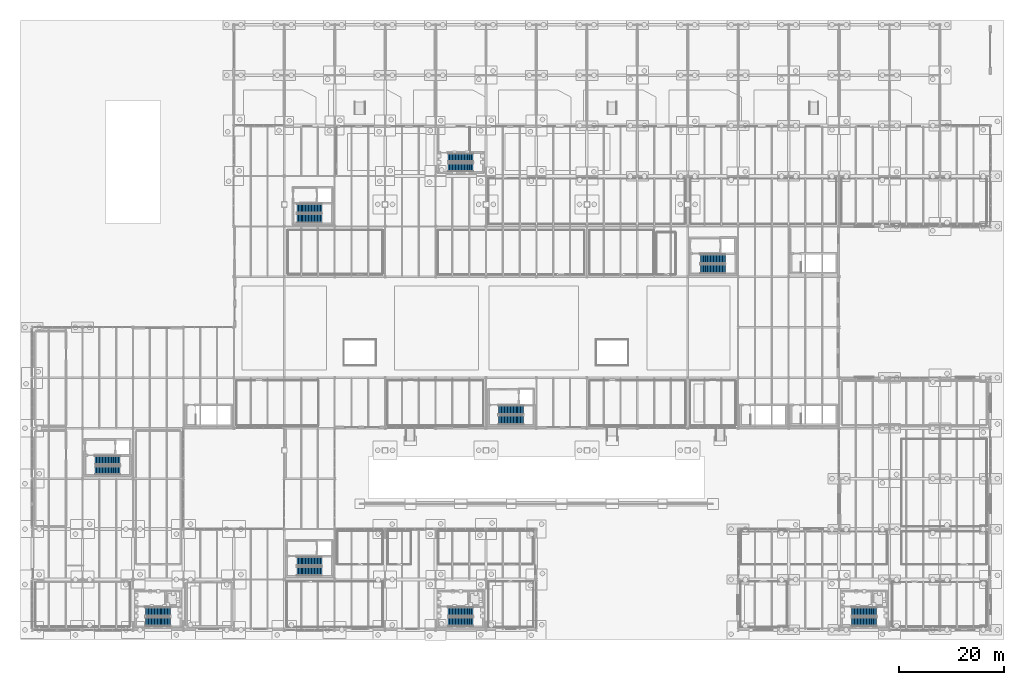
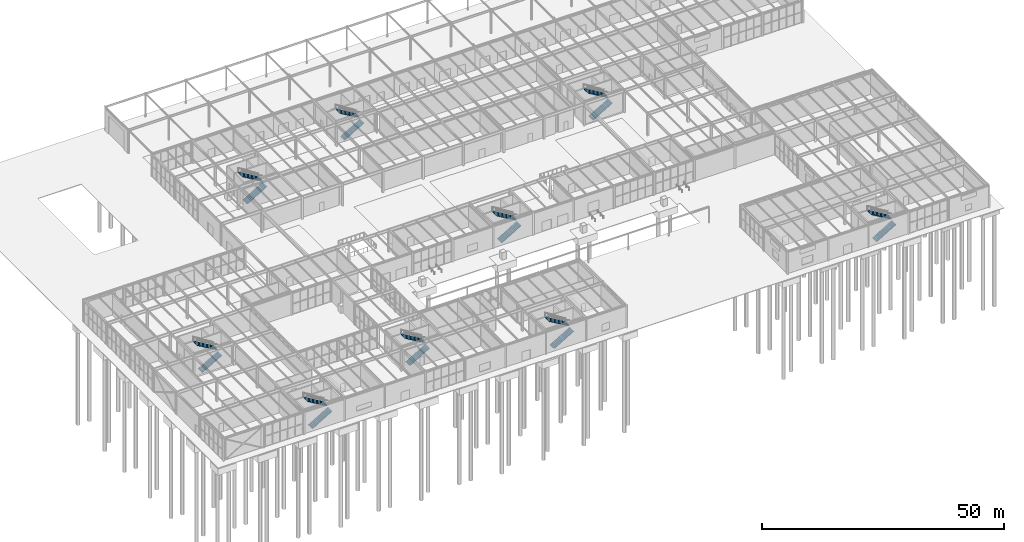
# One storey, part 126 of 142: 18 stair flights, 9 elements without a shape of their own.
"""IFC4 building model written with IfcOpenShell, lengths in metres."""

from ifc_helpers import new_model, si_unit, direction, frame, origin, place, context, subcontext, project, spatial, polyline, outline, extrude, material, type_object, element, aggregate, save


model = new_model("IFC4")

# Units and contexts
model_context = context("Model", 3, precision=1e-05, world=origin(), true_north=direction((0.0, 1.0)))
body_context = subcontext(model_context, "Body", "Model", "MODEL_VIEW")
ifc_project = project(units=[si_unit("LENGTHUNIT", "METRE"), si_unit("AREAUNIT", "SQUARE_METRE"), si_unit("VOLUMEUNIT", "CUBIC_METRE"), si_unit("PLANEANGLEUNIT", "RADIAN"), si_unit("MASSUNIT", "GRAM", prefix="KILO")], contexts=[model_context])

# Site, building, storey
site_placement = place(None, origin())
site = spatial("IfcSite", under=ifc_project, at=site_placement, CompositionType="ELEMENT")
building_placement = place(site_placement, origin())
building = spatial("IfcBuilding", under=site, at=building_placement, Name="Coralgate Yard Interchange", CompositionType="ELEMENT")
storey_placement = place(building_placement, origin())
storey = spatial("IfcBuildingStorey", under=building, at=storey_placement, Name="L00", CompositionType="ELEMENT", Elevation=0.0)

# Stair, stair flights
ifc_material = material(Name="Concrete C40/50", Category="concrete")
stair_type_1 = type_object("IfcStairType", Name="STR-DL-158-60", PredefinedType="HALF_TURN_STAIR", material=ifc_material)
stair_1_placement = place(storey_placement, origin())
stair_1 = element("IfcStair", 1, at=stair_1_placement, inside=storey, type_object=stair_type_1, Name="L00 Escape stair ST-09", PredefinedType="HALF_TURN_STAIR")
stair_flight_type_1 = type_object("IfcStairFlightType", Name="STF-DL-158-60", PredefinedType="STRAIGHT", material=ifc_material)
stair_flight_1_placement = place(storey_placement, frame((79.199951171875, 88.050048828125, 0.0), z_axis=(0.0, 0.0, 1.0), x_axis=(1.0, 0.0, 0.0)))
stair_flight_1 = element("IfcStairFlight", 2, at=stair_flight_1_placement, type_object=stair_flight_type_1, Name="ST-09 flight 1", NumberOfRisers=18, NumberOfTreads=17, PredefinedType="STRAIGHT", RiserHeight=0.166666667, TreadLength=0.28, context=body_context, shape_type="SweptSolid", body=[
    extrude(outline(polyline([(0.0, 0.0), (0.0, 0.166748046875), (0.280029296875, 0.166748046875), (0.280029296875, 0.333251953125), (0.56005859375, 0.333251953125), (0.56005859375, 0.5), (0.840087890625, 0.5), (0.840087890625, 0.666748046875), (1.1201171875, 0.666748046875), (1.1201171875, 0.833251953125), (1.39990234375, 0.833251953125), (1.39990234375, 1.0), (1.679931640625, 1.0), (1.679931640625, 1.166748046875), (1.9599609375, 1.166748046875), (1.9599609375, 1.333251953125), (2.239990234375, 1.333251953125), (2.239990234375, 1.5), (2.52001953125, 1.5), (2.52001953125, 1.666748046875), (2.800048828125, 1.666748046875), (2.800048828125, 1.833251953125), (3.080078125, 1.833251953125), (3.080078125, 2.0), (3.360107421875, 2.0), (3.360107421875, 2.166748046875), (3.639892578125, 2.166748046875), (3.639892578125, 2.333251953125), (3.919921875, 2.333251953125), (3.919921875, 2.5), (4.199951171875, 2.5), (4.199951171875, 2.666748046875), (4.47998046875, 2.666748046875), (4.47998046875, 2.833251953125), (4.760009765625, 2.833251953125), (4.760009765625, 3.0), (4.760009765625, 2.647216796875), (0.312744140625, 0.0), (0.0, 0.0)])), frame((0.0, 0.7900390625, 0.0), z_axis=(0.0, -1.0, 0.0), x_axis=(1.0, 0.0, 0.0)), (0.0, 0.0, 1.0), 1.580078125),
])
stair_flight_2_placement = place(storey_placement, frame((83.9599609375, 89.919921875, 3.0), z_axis=(0.0, 0.0, 1.0), x_axis=(-1.0, 0.0, 0.0)))
stair_flight_2 = element("IfcStairFlight", 3, at=stair_flight_2_placement, type_object=stair_flight_type_1, Name="ST-09 flight 2", NumberOfRisers=18, NumberOfTreads=17, PredefinedType="STRAIGHT", RiserHeight=0.166666667, TreadLength=0.28, context=body_context, shape_type="SweptSolid", body=[
    extrude(outline(polyline([(0.0, 0.0), (0.0, 0.166748046875), (0.280029296875, 0.166748046875), (0.280029296875, 0.333251953125), (0.56005859375, 0.333251953125), (0.56005859375, 0.5), (0.840087890625, 0.5), (0.840087890625, 0.666748046875), (1.1201171875, 0.666748046875), (1.1201171875, 0.833251953125), (1.39990234375, 0.833251953125), (1.39990234375, 1.0), (1.679931640625, 1.0), (1.679931640625, 1.166748046875), (1.9599609375, 1.166748046875), (1.9599609375, 1.333251953125), (2.239990234375, 1.333251953125), (2.239990234375, 1.5), (2.52001953125, 1.5), (2.52001953125, 1.666748046875), (2.800048828125, 1.666748046875), (2.800048828125, 1.833251953125), (3.080078125, 1.833251953125), (3.080078125, 2.0), (3.360107421875, 2.0), (3.360107421875, 2.166748046875), (3.639892578125, 2.166748046875), (3.639892578125, 2.333251953125), (3.919921875, 2.333251953125), (3.919921875, 2.5), (4.199951171875, 2.5), (4.199951171875, 2.666748046875), (4.47998046875, 2.666748046875), (4.47998046875, 2.833251953125), (4.760009765625, 2.833251953125), (4.760009765625, 3.0), (4.760009765625, 2.647216796875), (0.312744140625, 0.0), (0.0, 0.0)])), frame((0.0, 0.7900390625, 0.0), z_axis=(0.0, -1.0, 0.0), x_axis=(1.0, 0.0, 0.0)), (0.0, 0.0, 1.0), 1.580078125),
])
aggregate(stair_1, [stair_flight_1, stair_flight_2])

stair_type_2 = type_object("IfcStairType", Name="STR-DL-165-60", PredefinedType="HALF_TURN_STAIR", material=ifc_material)
stair_2_placement = place(storey_placement, origin())
stair_2 = element("IfcStair", 4, at=stair_2_placement, inside=storey, type_object=stair_type_2, Name="L00 Escape stair ST-01", PredefinedType="HALF_TURN_STAIR")
stair_flight_type_2 = type_object("IfcStairFlightType", Name="STF-DL-165-60", PredefinedType="STRAIGHT", material=ifc_material)
stair_flight_3_placement = place(storey_placement, frame((12.0, 30.344970703125, 0.0), z_axis=(0.0, 0.0, 1.0), x_axis=(1.0, 0.0, 0.0)))
stair_flight_3 = element("IfcStairFlight", 5, at=stair_flight_3_placement, type_object=stair_flight_type_2, Name="ST-01 flight 1", NumberOfRisers=18, NumberOfTreads=17, PredefinedType="STRAIGHT", RiserHeight=0.166666667, TreadLength=0.28, context=body_context, shape_type="SweptSolid", body=[
    extrude(outline(polyline([(0.0, 0.0), (0.0, 0.166748046875), (0.280029296875, 0.166748046875), (0.280029296875, 0.333251953125), (0.56005859375, 0.333251953125), (0.56005859375, 0.5), (0.840087890625, 0.5), (0.840087890625, 0.666748046875), (1.1201171875, 0.666748046875), (1.1201171875, 0.833251953125), (1.39990234375, 0.833251953125), (1.39990234375, 1.0), (1.679931640625, 1.0), (1.679931640625, 1.166748046875), (1.9599609375, 1.166748046875), (1.9599609375, 1.333251953125), (2.239990234375, 1.333251953125), (2.239990234375, 1.5), (2.52001953125, 1.5), (2.52001953125, 1.666748046875), (2.800048828125, 1.666748046875), (2.800048828125, 1.833251953125), (3.080078125, 1.833251953125), (3.080078125, 2.0), (3.360107421875, 2.0), (3.360107421875, 2.166748046875), (3.639892578125, 2.166748046875), (3.639892578125, 2.333251953125), (3.919921875, 2.333251953125), (3.919921875, 2.5), (4.199951171875, 2.5), (4.199951171875, 2.666748046875), (4.47998046875, 2.666748046875), (4.47998046875, 2.833251953125), (4.760009765625, 2.833251953125), (4.760009765625, 3.0), (4.760009765625, 2.647216796875), (0.312744140625, 0.0), (0.0, 0.0)])), frame((0.0, 0.824951171875, 0.0), z_axis=(0.0, -1.0, 0.0), x_axis=(1.0, 0.0, 0.0)), (0.0, 0.0, 1.0), 1.64990234375),
])
stair_flight_4_placement = place(storey_placement, frame((16.760009765625, 32.284912109375, 3.0), z_axis=(0.0, 0.0, 1.0), x_axis=(-1.0, 0.0, 0.0)))
stair_flight_4 = element("IfcStairFlight", 6, at=stair_flight_4_placement, type_object=stair_flight_type_2, Name="ST-01 flight 2", NumberOfRisers=18, NumberOfTreads=17, PredefinedType="STRAIGHT", RiserHeight=0.166666667, TreadLength=0.28, context=body_context, shape_type="SweptSolid", body=[
    extrude(outline(polyline([(0.0, 0.0), (0.0, 0.166748046875), (0.280029296875, 0.166748046875), (0.280029296875, 0.333251953125), (0.56005859375, 0.333251953125), (0.56005859375, 0.5), (0.840087890625, 0.5), (0.840087890625, 0.666748046875), (1.1201171875, 0.666748046875), (1.1201171875, 0.833251953125), (1.39990234375, 0.833251953125), (1.39990234375, 1.0), (1.679931640625, 1.0), (1.679931640625, 1.166748046875), (1.9599609375, 1.166748046875), (1.9599609375, 1.333251953125), (2.239990234375, 1.333251953125), (2.239990234375, 1.5), (2.52001953125, 1.5), (2.52001953125, 1.666748046875), (2.800048828125, 1.666748046875), (2.800048828125, 1.833251953125), (3.080078125, 1.833251953125), (3.080078125, 2.0), (3.360107421875, 2.0), (3.360107421875, 2.166748046875), (3.639892578125, 2.166748046875), (3.639892578125, 2.333251953125), (3.919921875, 2.333251953125), (3.919921875, 2.5), (4.199951171875, 2.5), (4.199951171875, 2.666748046875), (4.47998046875, 2.666748046875), (4.47998046875, 2.833251953125), (4.760009765625, 2.833251953125), (4.760009765625, 3.0), (4.760009765625, 2.647216796875), (0.312744140625, 0.0), (0.0, 0.0)])), frame((0.0, 0.824951171875, 0.0), z_axis=(0.0, -1.0, 0.0), x_axis=(1.0, 0.0, 0.0)), (0.0, 0.0, 1.0), 1.64990234375),
])
aggregate(stair_2, [stair_flight_3, stair_flight_4])

stair_3_placement = place(storey_placement, origin())
stair_3 = element("IfcStair", 7, at=stair_3_placement, inside=storey, type_object=stair_type_2, Name="L00 Escape stair ST-02", PredefinedType="HALF_TURN_STAIR")
stair_flight_5_placement = place(storey_placement, frame((50.39990234375, 11.14501953125, 0.0), z_axis=(0.0, 0.0, 1.0), x_axis=(1.0, 0.0, 0.0)))
stair_flight_5 = element("IfcStairFlight", 8, at=stair_flight_5_placement, type_object=stair_flight_type_2, Name="ST-02 flight 1", NumberOfRisers=18, NumberOfTreads=17, PredefinedType="STRAIGHT", RiserHeight=0.166666667, TreadLength=0.28, context=body_context, shape_type="SweptSolid", body=[
    extrude(outline(polyline([(0.0, 0.0), (0.0, 0.166748046875), (0.280029296875, 0.166748046875), (0.280029296875, 0.333251953125), (0.56005859375, 0.333251953125), (0.56005859375, 0.5), (0.840087890625, 0.5), (0.840087890625, 0.666748046875), (1.1201171875, 0.666748046875), (1.1201171875, 0.833251953125), (1.39990234375, 0.833251953125), (1.39990234375, 1.0), (1.679931640625, 1.0), (1.679931640625, 1.166748046875), (1.9599609375, 1.166748046875), (1.9599609375, 1.333251953125), (2.239990234375, 1.333251953125), (2.239990234375, 1.5), (2.52001953125, 1.5), (2.52001953125, 1.666748046875), (2.800048828125, 1.666748046875), (2.800048828125, 1.833251953125), (3.080078125, 1.833251953125), (3.080078125, 2.0), (3.360107421875, 2.0), (3.360107421875, 2.166748046875), (3.639892578125, 2.166748046875), (3.639892578125, 2.333251953125), (3.919921875, 2.333251953125), (3.919921875, 2.5), (4.199951171875, 2.5), (4.199951171875, 2.666748046875), (4.47998046875, 2.666748046875), (4.47998046875, 2.833251953125), (4.760009765625, 2.833251953125), (4.760009765625, 3.0), (4.760009765625, 2.647216796875), (0.312744140625, 0.0), (0.0, 0.0)])), frame((0.0, 0.824951171875, 0.0), z_axis=(0.0, -1.0, 0.0), x_axis=(1.0, 0.0, 0.0)), (0.0, 0.0, 1.0), 1.64990234375),
])
stair_flight_6_placement = place(storey_placement, frame((55.159912109375, 13.0849609375, 3.0), z_axis=(0.0, 0.0, 1.0), x_axis=(-1.0, 0.0, 0.0)))
stair_flight_6 = element("IfcStairFlight", 9, at=stair_flight_6_placement, type_object=stair_flight_type_2, Name="ST-02 flight 2", NumberOfRisers=18, NumberOfTreads=17, PredefinedType="STRAIGHT", RiserHeight=0.166666667, TreadLength=0.28, context=body_context, shape_type="SweptSolid", body=[
    extrude(outline(polyline([(0.0, 0.0), (0.0, 0.166748046875), (0.280029296875, 0.166748046875), (0.280029296875, 0.333251953125), (0.56005859375, 0.333251953125), (0.56005859375, 0.5), (0.840087890625, 0.5), (0.840087890625, 0.666748046875), (1.1201171875, 0.666748046875), (1.1201171875, 0.833251953125), (1.39990234375, 0.833251953125), (1.39990234375, 1.0), (1.679931640625, 1.0), (1.679931640625, 1.166748046875), (1.9599609375, 1.166748046875), (1.9599609375, 1.333251953125), (2.239990234375, 1.333251953125), (2.239990234375, 1.5), (2.52001953125, 1.5), (2.52001953125, 1.666748046875), (2.800048828125, 1.666748046875), (2.800048828125, 1.833251953125), (3.080078125, 1.833251953125), (3.080078125, 2.0), (3.360107421875, 2.0), (3.360107421875, 2.166748046875), (3.639892578125, 2.166748046875), (3.639892578125, 2.333251953125), (3.919921875, 2.333251953125), (3.919921875, 2.5), (4.199951171875, 2.5), (4.199951171875, 2.666748046875), (4.47998046875, 2.666748046875), (4.47998046875, 2.833251953125), (4.760009765625, 2.833251953125), (4.760009765625, 3.0), (4.760009765625, 2.647216796875), (0.312744140625, 0.0), (0.0, 0.0)])), frame((0.0, 0.824951171875, 0.0), z_axis=(0.0, -1.0, 0.0), x_axis=(1.0, 0.0, 0.0)), (0.0, 0.0, 1.0), 1.64990234375),
])
aggregate(stair_3, [stair_flight_5, stair_flight_6])

stair_4_placement = place(storey_placement, origin())
stair_4 = element("IfcStair", 10, at=stair_4_placement, inside=storey, type_object=stair_type_2, Name="L00 Escape stair ST-03", PredefinedType="HALF_TURN_STAIR")
stair_flight_7_placement = place(storey_placement, frame((21.60009765625, 1.544921875, 0.0), z_axis=(0.0, 0.0, 1.0), x_axis=(1.0, 0.0, 0.0)))
stair_flight_7 = element("IfcStairFlight", 11, at=stair_flight_7_placement, type_object=stair_flight_type_2, Name="ST-03 flight 1", NumberOfRisers=18, NumberOfTreads=17, PredefinedType="STRAIGHT", RiserHeight=0.166666667, TreadLength=0.28, context=body_context, shape_type="SweptSolid", body=[
    extrude(outline(polyline([(0.0, 0.0), (0.0, 0.166748046875), (0.280029296875, 0.166748046875), (0.280029296875, 0.333251953125), (0.56005859375, 0.333251953125), (0.56005859375, 0.5), (0.840087890625, 0.5), (0.840087890625, 0.666748046875), (1.1201171875, 0.666748046875), (1.1201171875, 0.833251953125), (1.39990234375, 0.833251953125), (1.39990234375, 1.0), (1.679931640625, 1.0), (1.679931640625, 1.166748046875), (1.9599609375, 1.166748046875), (1.9599609375, 1.333251953125), (2.239990234375, 1.333251953125), (2.239990234375, 1.5), (2.52001953125, 1.5), (2.52001953125, 1.666748046875), (2.800048828125, 1.666748046875), (2.800048828125, 1.833251953125), (3.080078125, 1.833251953125), (3.080078125, 2.0), (3.360107421875, 2.0), (3.360107421875, 2.166748046875), (3.639892578125, 2.166748046875), (3.639892578125, 2.333251953125), (3.919921875, 2.333251953125), (3.919921875, 2.5), (4.199951171875, 2.5), (4.199951171875, 2.666748046875), (4.47998046875, 2.666748046875), (4.47998046875, 2.833251953125), (4.760009765625, 2.833251953125), (4.760009765625, 3.0), (4.760009765625, 2.647216796875), (0.312744140625, 0.0), (0.0, 0.0)])), frame((0.0, 0.824951171875, 0.0), z_axis=(0.0, -1.0, 0.0), x_axis=(1.0, 0.0, 0.0)), (0.0, 0.0, 1.0), 1.64990234375),
])
stair_flight_8_placement = place(storey_placement, frame((26.360107421875, 3.485107421875, 3.0), z_axis=(0.0, 0.0, 1.0), x_axis=(-1.0, 0.0, 0.0)))
stair_flight_8 = element("IfcStairFlight", 12, at=stair_flight_8_placement, type_object=stair_flight_type_2, Name="ST-03 flight 2", NumberOfRisers=18, NumberOfTreads=17, PredefinedType="STRAIGHT", RiserHeight=0.166666667, TreadLength=0.28, context=body_context, shape_type="SweptSolid", body=[
    extrude(outline(polyline([(0.0, 0.0), (0.0, 0.166748046875), (0.280029296875, 0.166748046875), (0.280029296875, 0.333251953125), (0.56005859375, 0.333251953125), (0.56005859375, 0.5), (0.840087890625, 0.5), (0.840087890625, 0.666748046875), (1.1201171875, 0.666748046875), (1.1201171875, 0.833251953125), (1.39990234375, 0.833251953125), (1.39990234375, 1.0), (1.679931640625, 1.0), (1.679931640625, 1.166748046875), (1.9599609375, 1.166748046875), (1.9599609375, 1.333251953125), (2.239990234375, 1.333251953125), (2.239990234375, 1.5), (2.52001953125, 1.5), (2.52001953125, 1.666748046875), (2.800048828125, 1.666748046875), (2.800048828125, 1.833251953125), (3.080078125, 1.833251953125), (3.080078125, 2.0), (3.360107421875, 2.0), (3.360107421875, 2.166748046875), (3.639892578125, 2.166748046875), (3.639892578125, 2.333251953125), (3.919921875, 2.333251953125), (3.919921875, 2.5), (4.199951171875, 2.5), (4.199951171875, 2.666748046875), (4.47998046875, 2.666748046875), (4.47998046875, 2.833251953125), (4.760009765625, 2.833251953125), (4.760009765625, 3.0), (4.760009765625, 2.647216796875), (0.312744140625, 0.0), (0.0, 0.0)])), frame((0.0, 0.824951171875, 0.0), z_axis=(0.0, -1.0, 0.0), x_axis=(1.0, 0.0, 0.0)), (0.0, 0.0, 1.0), 1.64990234375),
])
aggregate(stair_4, [stair_flight_7, stair_flight_8])

stair_5_placement = place(storey_placement, origin())
stair_5 = element("IfcStair", 13, at=stair_5_placement, inside=storey, type_object=stair_type_2, Name="L00 Escape stair ST-04", PredefinedType="HALF_TURN_STAIR")
stair_flight_9_placement = place(storey_placement, frame((79.199951171875, 1.544921875, 0.0), z_axis=(0.0, 0.0, 1.0), x_axis=(1.0, 0.0, 0.0)))
stair_flight_9 = element("IfcStairFlight", 14, at=stair_flight_9_placement, type_object=stair_flight_type_2, Name="ST-04 flight 1", NumberOfRisers=18, NumberOfTreads=17, PredefinedType="STRAIGHT", RiserHeight=0.166666667, TreadLength=0.28, context=body_context, shape_type="SweptSolid", body=[
    extrude(outline(polyline([(0.0, 0.0), (0.0, 0.166748046875), (0.280029296875, 0.166748046875), (0.280029296875, 0.333251953125), (0.56005859375, 0.333251953125), (0.56005859375, 0.5), (0.840087890625, 0.5), (0.840087890625, 0.666748046875), (1.1201171875, 0.666748046875), (1.1201171875, 0.833251953125), (1.39990234375, 0.833251953125), (1.39990234375, 1.0), (1.679931640625, 1.0), (1.679931640625, 1.166748046875), (1.9599609375, 1.166748046875), (1.9599609375, 1.333251953125), (2.239990234375, 1.333251953125), (2.239990234375, 1.5), (2.52001953125, 1.5), (2.52001953125, 1.666748046875), (2.800048828125, 1.666748046875), (2.800048828125, 1.833251953125), (3.080078125, 1.833251953125), (3.080078125, 2.0), (3.360107421875, 2.0), (3.360107421875, 2.166748046875), (3.639892578125, 2.166748046875), (3.639892578125, 2.333251953125), (3.919921875, 2.333251953125), (3.919921875, 2.5), (4.199951171875, 2.5), (4.199951171875, 2.666748046875), (4.47998046875, 2.666748046875), (4.47998046875, 2.833251953125), (4.760009765625, 2.833251953125), (4.760009765625, 3.0), (4.760009765625, 2.647216796875), (0.312744140625, 0.0), (0.0, 0.0)])), frame((0.0, 0.824951171875, 0.0), z_axis=(0.0, -1.0, 0.0), x_axis=(1.0, 0.0, 0.0)), (0.0, 0.0, 1.0), 1.64990234375),
])
stair_flight_10_placement = place(storey_placement, frame((83.9599609375, 3.485107421875, 3.0), z_axis=(0.0, 0.0, 1.0), x_axis=(-1.0, 0.0, 0.0)))
stair_flight_10 = element("IfcStairFlight", 15, at=stair_flight_10_placement, type_object=stair_flight_type_2, Name="ST-04 flight 2", NumberOfRisers=18, NumberOfTreads=17, PredefinedType="STRAIGHT", RiserHeight=0.166666667, TreadLength=0.28, context=body_context, shape_type="SweptSolid", body=[
    extrude(outline(polyline([(0.0, 0.0), (0.0, 0.166748046875), (0.280029296875, 0.166748046875), (0.280029296875, 0.333251953125), (0.56005859375, 0.333251953125), (0.56005859375, 0.5), (0.840087890625, 0.5), (0.840087890625, 0.666748046875), (1.1201171875, 0.666748046875), (1.1201171875, 0.833251953125), (1.39990234375, 0.833251953125), (1.39990234375, 1.0), (1.679931640625, 1.0), (1.679931640625, 1.166748046875), (1.9599609375, 1.166748046875), (1.9599609375, 1.333251953125), (2.239990234375, 1.333251953125), (2.239990234375, 1.5), (2.52001953125, 1.5), (2.52001953125, 1.666748046875), (2.800048828125, 1.666748046875), (2.800048828125, 1.833251953125), (3.080078125, 1.833251953125), (3.080078125, 2.0), (3.360107421875, 2.0), (3.360107421875, 2.166748046875), (3.639892578125, 2.166748046875), (3.639892578125, 2.333251953125), (3.919921875, 2.333251953125), (3.919921875, 2.5), (4.199951171875, 2.5), (4.199951171875, 2.666748046875), (4.47998046875, 2.666748046875), (4.47998046875, 2.833251953125), (4.760009765625, 2.833251953125), (4.760009765625, 3.0), (4.760009765625, 2.647216796875), (0.312744140625, 0.0), (0.0, 0.0)])), frame((0.0, 0.824951171875, 0.0), z_axis=(0.0, -1.0, 0.0), x_axis=(1.0, 0.0, 0.0)), (0.0, 0.0, 1.0), 1.64990234375),
])
aggregate(stair_5, [stair_flight_9, stair_flight_10])

stair_6_placement = place(storey_placement, origin())
stair_6 = element("IfcStair", 16, at=stair_6_placement, inside=storey, type_object=stair_type_2, Name="L00 Escape stair ST-08", PredefinedType="HALF_TURN_STAIR")
stair_flight_11_placement = place(storey_placement, frame((156.0, 1.544921875, 0.0), z_axis=(0.0, 0.0, 1.0), x_axis=(1.0, 0.0, 0.0)))
stair_flight_11 = element("IfcStairFlight", 17, at=stair_flight_11_placement, type_object=stair_flight_type_2, Name="ST-08 flight 1", NumberOfRisers=18, NumberOfTreads=17, PredefinedType="STRAIGHT", RiserHeight=0.166666667, TreadLength=0.28, context=body_context, shape_type="SweptSolid", body=[
    extrude(outline(polyline([(0.0, 0.0), (0.0, 0.166748046875), (0.280029296875, 0.166748046875), (0.280029296875, 0.333251953125), (0.56005859375, 0.333251953125), (0.56005859375, 0.5), (0.840087890625, 0.5), (0.840087890625, 0.666748046875), (1.1201171875, 0.666748046875), (1.1201171875, 0.833251953125), (1.39990234375, 0.833251953125), (1.39990234375, 1.0), (1.679931640625, 1.0), (1.679931640625, 1.166748046875), (1.9599609375, 1.166748046875), (1.9599609375, 1.333251953125), (2.239990234375, 1.333251953125), (2.239990234375, 1.5), (2.52001953125, 1.5), (2.52001953125, 1.666748046875), (2.800048828125, 1.666748046875), (2.800048828125, 1.833251953125), (3.080078125, 1.833251953125), (3.080078125, 2.0), (3.360107421875, 2.0), (3.360107421875, 2.166748046875), (3.639892578125, 2.166748046875), (3.639892578125, 2.333251953125), (3.919921875, 2.333251953125), (3.919921875, 2.5), (4.199951171875, 2.5), (4.199951171875, 2.666748046875), (4.47998046875, 2.666748046875), (4.47998046875, 2.833251953125), (4.760009765625, 2.833251953125), (4.760009765625, 3.0), (4.760009765625, 2.647216796875), (0.312744140625, 0.0), (0.0, 0.0)])), frame((0.0, 0.824951171875, 0.0), z_axis=(0.0, -1.0, 0.0), x_axis=(1.0, 0.0, 0.0)), (0.0, 0.0, 1.0), 1.64990234375),
])
stair_flight_12_placement = place(storey_placement, frame((160.760009765625, 3.485107421875, 3.0), z_axis=(0.0, 0.0, 1.0), x_axis=(-1.0, 0.0, 0.0)))
stair_flight_12 = element("IfcStairFlight", 18, at=stair_flight_12_placement, type_object=stair_flight_type_2, Name="ST-08 flight 2", NumberOfRisers=18, NumberOfTreads=17, PredefinedType="STRAIGHT", RiserHeight=0.166666667, TreadLength=0.28, context=body_context, shape_type="SweptSolid", body=[
    extrude(outline(polyline([(0.0, 0.0), (0.0, 0.166748046875), (0.280029296875, 0.166748046875), (0.280029296875, 0.333251953125), (0.56005859375, 0.333251953125), (0.56005859375, 0.5), (0.840087890625, 0.5), (0.840087890625, 0.666748046875), (1.1201171875, 0.666748046875), (1.1201171875, 0.833251953125), (1.39990234375, 0.833251953125), (1.39990234375, 1.0), (1.679931640625, 1.0), (1.679931640625, 1.166748046875), (1.9599609375, 1.166748046875), (1.9599609375, 1.333251953125), (2.239990234375, 1.333251953125), (2.239990234375, 1.5), (2.52001953125, 1.5), (2.52001953125, 1.666748046875), (2.800048828125, 1.666748046875), (2.800048828125, 1.833251953125), (3.080078125, 1.833251953125), (3.080078125, 2.0), (3.360107421875, 2.0), (3.360107421875, 2.166748046875), (3.639892578125, 2.166748046875), (3.639892578125, 2.333251953125), (3.919921875, 2.333251953125), (3.919921875, 2.5), (4.199951171875, 2.5), (4.199951171875, 2.666748046875), (4.47998046875, 2.666748046875), (4.47998046875, 2.833251953125), (4.760009765625, 2.833251953125), (4.760009765625, 3.0), (4.760009765625, 2.647216796875), (0.312744140625, 0.0), (0.0, 0.0)])), frame((0.0, 0.824951171875, 0.0), z_axis=(0.0, -1.0, 0.0), x_axis=(1.0, 0.0, 0.0)), (0.0, 0.0, 1.0), 1.64990234375),
])
aggregate(stair_6, [stair_flight_11, stair_flight_12])

stair_type_3 = type_object("IfcStairType", Name="STR-DL-175-60", PredefinedType="HALF_TURN_STAIR", material=ifc_material)
stair_7_placement = place(storey_placement, origin())
stair_7 = element("IfcStair", 19, at=stair_7_placement, inside=storey, type_object=stair_type_3, Name="L00 Escape stair ST-05", PredefinedType="HALF_TURN_STAIR")
stair_flight_type_3 = type_object("IfcStairFlightType", Name="STF-DL-175-60", PredefinedType="STRAIGHT", material=ifc_material)
stair_flight_13_placement = place(storey_placement, frame((50.39990234375, 78.324951171875, 0.0), z_axis=(0.0, 0.0, 1.0), x_axis=(1.0, 0.0, 0.0)))
stair_flight_13 = element("IfcStairFlight", 20, at=stair_flight_13_placement, type_object=stair_flight_type_3, Name="ST-05 flight 1", NumberOfRisers=18, NumberOfTreads=17, PredefinedType="STRAIGHT", RiserHeight=0.166666667, TreadLength=0.28, context=body_context, shape_type="SweptSolid", body=[
    extrude(outline(polyline([(0.0, 0.0), (0.0, 0.166748046875), (0.280029296875, 0.166748046875), (0.280029296875, 0.333251953125), (0.56005859375, 0.333251953125), (0.56005859375, 0.5), (0.840087890625, 0.5), (0.840087890625, 0.666748046875), (1.1201171875, 0.666748046875), (1.1201171875, 0.833251953125), (1.39990234375, 0.833251953125), (1.39990234375, 1.0), (1.679931640625, 1.0), (1.679931640625, 1.166748046875), (1.9599609375, 1.166748046875), (1.9599609375, 1.333251953125), (2.239990234375, 1.333251953125), (2.239990234375, 1.5), (2.52001953125, 1.5), (2.52001953125, 1.666748046875), (2.800048828125, 1.666748046875), (2.800048828125, 1.833251953125), (3.080078125, 1.833251953125), (3.080078125, 2.0), (3.360107421875, 2.0), (3.360107421875, 2.166748046875), (3.639892578125, 2.166748046875), (3.639892578125, 2.333251953125), (3.919921875, 2.333251953125), (3.919921875, 2.5), (4.199951171875, 2.5), (4.199951171875, 2.666748046875), (4.47998046875, 2.666748046875), (4.47998046875, 2.833251953125), (4.760009765625, 2.833251953125), (4.760009765625, 3.0), (4.760009765625, 2.647216796875), (0.312744140625, 0.0), (0.0, 0.0)])), frame((0.0, 0.875, 0.0), z_axis=(0.0, -1.0, 0.0), x_axis=(1.0, 0.0, 0.0)), (0.0, 0.0, 1.0), 1.75),
])
stair_flight_14_placement = place(storey_placement, frame((55.159912109375, 80.235107421875, 3.0), z_axis=(0.0, 0.0, 1.0), x_axis=(-1.0, 0.0, 0.0)))
stair_flight_14 = element("IfcStairFlight", 21, at=stair_flight_14_placement, type_object=stair_flight_type_3, Name="ST-05 flight 2", NumberOfRisers=18, NumberOfTreads=17, PredefinedType="STRAIGHT", RiserHeight=0.166666667, TreadLength=0.28, context=body_context, shape_type="SweptSolid", body=[
    extrude(outline(polyline([(0.0, 0.0), (0.0, 0.166748046875), (0.280029296875, 0.166748046875), (0.280029296875, 0.333251953125), (0.56005859375, 0.333251953125), (0.56005859375, 0.5), (0.840087890625, 0.5), (0.840087890625, 0.666748046875), (1.1201171875, 0.666748046875), (1.1201171875, 0.833251953125), (1.39990234375, 0.833251953125), (1.39990234375, 1.0), (1.679931640625, 1.0), (1.679931640625, 1.166748046875), (1.9599609375, 1.166748046875), (1.9599609375, 1.333251953125), (2.239990234375, 1.333251953125), (2.239990234375, 1.5), (2.52001953125, 1.5), (2.52001953125, 1.666748046875), (2.800048828125, 1.666748046875), (2.800048828125, 1.833251953125), (3.080078125, 1.833251953125), (3.080078125, 2.0), (3.360107421875, 2.0), (3.360107421875, 2.166748046875), (3.639892578125, 2.166748046875), (3.639892578125, 2.333251953125), (3.919921875, 2.333251953125), (3.919921875, 2.5), (4.199951171875, 2.5), (4.199951171875, 2.666748046875), (4.47998046875, 2.666748046875), (4.47998046875, 2.833251953125), (4.760009765625, 2.833251953125), (4.760009765625, 3.0), (4.760009765625, 2.647216796875), (0.312744140625, 0.0), (0.0, 0.0)])), frame((0.0, 0.875, 0.0), z_axis=(0.0, -1.0, 0.0), x_axis=(1.0, 0.0, 0.0)), (0.0, 0.0, 1.0), 1.75),
])
aggregate(stair_7, [stair_flight_13, stair_flight_14])

stair_8_placement = place(storey_placement, origin())
stair_8 = element("IfcStair", 22, at=stair_8_placement, inside=storey, type_object=stair_type_3, Name="L00 Escape stair ST-06", PredefinedType="HALF_TURN_STAIR")
stair_flight_15_placement = place(storey_placement, frame((88.800048828125, 39.925048828125, 0.0), z_axis=(0.0, 0.0, 1.0), x_axis=(1.0, 0.0, 0.0)))
stair_flight_15 = element("IfcStairFlight", 23, at=stair_flight_15_placement, type_object=stair_flight_type_3, Name="ST-06 flight 1", NumberOfRisers=18, NumberOfTreads=17, PredefinedType="STRAIGHT", RiserHeight=0.166666667, TreadLength=0.28, context=body_context, shape_type="SweptSolid", body=[
    extrude(outline(polyline([(0.0, 0.0), (0.0, 0.166748046875), (0.280029296875, 0.166748046875), (0.280029296875, 0.333251953125), (0.56005859375, 0.333251953125), (0.56005859375, 0.5), (0.840087890625, 0.5), (0.840087890625, 0.666748046875), (1.1201171875, 0.666748046875), (1.1201171875, 0.833251953125), (1.39990234375, 0.833251953125), (1.39990234375, 1.0), (1.679931640625, 1.0), (1.679931640625, 1.166748046875), (1.9599609375, 1.166748046875), (1.9599609375, 1.333251953125), (2.239990234375, 1.333251953125), (2.239990234375, 1.5), (2.52001953125, 1.5), (2.52001953125, 1.666748046875), (2.800048828125, 1.666748046875), (2.800048828125, 1.833251953125), (3.080078125, 1.833251953125), (3.080078125, 2.0), (3.360107421875, 2.0), (3.360107421875, 2.166748046875), (3.639892578125, 2.166748046875), (3.639892578125, 2.333251953125), (3.919921875, 2.333251953125), (3.919921875, 2.5), (4.199951171875, 2.5), (4.199951171875, 2.666748046875), (4.47998046875, 2.666748046875), (4.47998046875, 2.833251953125), (4.760009765625, 2.833251953125), (4.760009765625, 3.0), (4.760009765625, 2.647216796875), (0.312744140625, 0.0), (0.0, 0.0)])), frame((0.0, 0.875, 0.0), z_axis=(0.0, -1.0, 0.0), x_axis=(1.0, 0.0, 0.0)), (0.0, 0.0, 1.0), 1.75),
])
stair_flight_16_placement = place(storey_placement, frame((93.56005859375, 41.8349609375, 3.0), z_axis=(0.0, 0.0, 1.0), x_axis=(-1.0, 0.0, 0.0)))
stair_flight_16 = element("IfcStairFlight", 24, at=stair_flight_16_placement, type_object=stair_flight_type_3, Name="ST-06 flight 2", NumberOfRisers=18, NumberOfTreads=17, PredefinedType="STRAIGHT", RiserHeight=0.166666667, TreadLength=0.28, context=body_context, shape_type="SweptSolid", body=[
    extrude(outline(polyline([(0.0, 0.0), (0.0, 0.166748046875), (0.280029296875, 0.166748046875), (0.280029296875, 0.333251953125), (0.56005859375, 0.333251953125), (0.56005859375, 0.5), (0.840087890625, 0.5), (0.840087890625, 0.666748046875), (1.1201171875, 0.666748046875), (1.1201171875, 0.833251953125), (1.39990234375, 0.833251953125), (1.39990234375, 1.0), (1.679931640625, 1.0), (1.679931640625, 1.166748046875), (1.9599609375, 1.166748046875), (1.9599609375, 1.333251953125), (2.239990234375, 1.333251953125), (2.239990234375, 1.5), (2.52001953125, 1.5), (2.52001953125, 1.666748046875), (2.800048828125, 1.666748046875), (2.800048828125, 1.833251953125), (3.080078125, 1.833251953125), (3.080078125, 2.0), (3.360107421875, 2.0), (3.360107421875, 2.166748046875), (3.639892578125, 2.166748046875), (3.639892578125, 2.333251953125), (3.919921875, 2.333251953125), (3.919921875, 2.5), (4.199951171875, 2.5), (4.199951171875, 2.666748046875), (4.47998046875, 2.666748046875), (4.47998046875, 2.833251953125), (4.760009765625, 2.833251953125), (4.760009765625, 3.0), (4.760009765625, 2.647216796875), (0.312744140625, 0.0), (0.0, 0.0)])), frame((0.0, 0.875, 0.0), z_axis=(0.0, -1.0, 0.0), x_axis=(1.0, 0.0, 0.0)), (0.0, 0.0, 1.0), 1.75),
])
aggregate(stair_8, [stair_flight_15, stair_flight_16])

stair_9_placement = place(storey_placement, origin())
stair_9 = element("IfcStair", 25, at=stair_9_placement, inside=storey, type_object=stair_type_3, Name="L00 Escape stair ST-07", PredefinedType="HALF_TURN_STAIR")
stair_flight_17_placement = place(storey_placement, frame((127.199951171875, 68.72509765625, 0.0), z_axis=(0.0, 0.0, 1.0), x_axis=(1.0, 0.0, 0.0)))
stair_flight_17 = element("IfcStairFlight", 26, at=stair_flight_17_placement, type_object=stair_flight_type_3, Name="ST-07 flight 1", NumberOfRisers=18, NumberOfTreads=17, PredefinedType="STRAIGHT", RiserHeight=0.166666667, TreadLength=0.28, context=body_context, shape_type="SweptSolid", body=[
    extrude(outline(polyline([(0.0, 0.0), (0.0, 0.166748046875), (0.280029296875, 0.166748046875), (0.280029296875, 0.333251953125), (0.56005859375, 0.333251953125), (0.56005859375, 0.5), (0.840087890625, 0.5), (0.840087890625, 0.666748046875), (1.1201171875, 0.666748046875), (1.1201171875, 0.833251953125), (1.39990234375, 0.833251953125), (1.39990234375, 1.0), (1.679931640625, 1.0), (1.679931640625, 1.166748046875), (1.9599609375, 1.166748046875), (1.9599609375, 1.333251953125), (2.239990234375, 1.333251953125), (2.239990234375, 1.5), (2.52001953125, 1.5), (2.52001953125, 1.666748046875), (2.800048828125, 1.666748046875), (2.800048828125, 1.833251953125), (3.080078125, 1.833251953125), (3.080078125, 2.0), (3.360107421875, 2.0), (3.360107421875, 2.166748046875), (3.639892578125, 2.166748046875), (3.639892578125, 2.333251953125), (3.919921875, 2.333251953125), (3.919921875, 2.5), (4.199951171875, 2.5), (4.199951171875, 2.666748046875), (4.47998046875, 2.666748046875), (4.47998046875, 2.833251953125), (4.760009765625, 2.833251953125), (4.760009765625, 3.0), (4.760009765625, 2.647216796875), (0.312744140625, 0.0), (0.0, 0.0)])), frame((0.0, 0.875, 0.0), z_axis=(0.0, -1.0, 0.0), x_axis=(1.0, 0.0, 0.0)), (0.0, 0.0, 1.0), 1.75),
])
stair_flight_18_placement = place(storey_placement, frame((131.9599609375, 70.635009765625, 3.0), z_axis=(0.0, 0.0, 1.0), x_axis=(-1.0, 0.0, 0.0)))
stair_flight_18 = element("IfcStairFlight", 27, at=stair_flight_18_placement, type_object=stair_flight_type_3, Name="ST-07 flight 2", NumberOfRisers=18, NumberOfTreads=17, PredefinedType="STRAIGHT", RiserHeight=0.166666667, TreadLength=0.28, context=body_context, shape_type="SweptSolid", body=[
    extrude(outline(polyline([(0.0, 0.0), (0.0, 0.166748046875), (0.280029296875, 0.166748046875), (0.280029296875, 0.333251953125), (0.56005859375, 0.333251953125), (0.56005859375, 0.5), (0.840087890625, 0.5), (0.840087890625, 0.666748046875), (1.1201171875, 0.666748046875), (1.1201171875, 0.833251953125), (1.39990234375, 0.833251953125), (1.39990234375, 1.0), (1.679931640625, 1.0), (1.679931640625, 1.166748046875), (1.9599609375, 1.166748046875), (1.9599609375, 1.333251953125), (2.239990234375, 1.333251953125), (2.239990234375, 1.5), (2.52001953125, 1.5), (2.52001953125, 1.666748046875), (2.800048828125, 1.666748046875), (2.800048828125, 1.833251953125), (3.080078125, 1.833251953125), (3.080078125, 2.0), (3.360107421875, 2.0), (3.360107421875, 2.166748046875), (3.639892578125, 2.166748046875), (3.639892578125, 2.333251953125), (3.919921875, 2.333251953125), (3.919921875, 2.5), (4.199951171875, 2.5), (4.199951171875, 2.666748046875), (4.47998046875, 2.666748046875), (4.47998046875, 2.833251953125), (4.760009765625, 2.833251953125), (4.760009765625, 3.0), (4.760009765625, 2.647216796875), (0.312744140625, 0.0), (0.0, 0.0)])), frame((0.0, 0.875, 0.0), z_axis=(0.0, -1.0, 0.0), x_axis=(1.0, 0.0, 0.0)), (0.0, 0.0, 1.0), 1.75),
])
aggregate(stair_9, [stair_flight_17, stair_flight_18])

save(model, "model.ifc")
